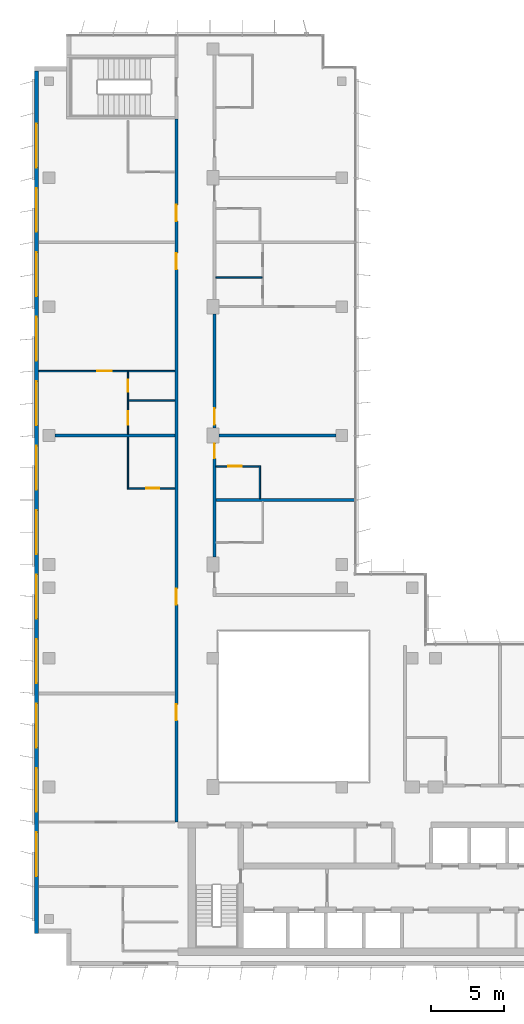
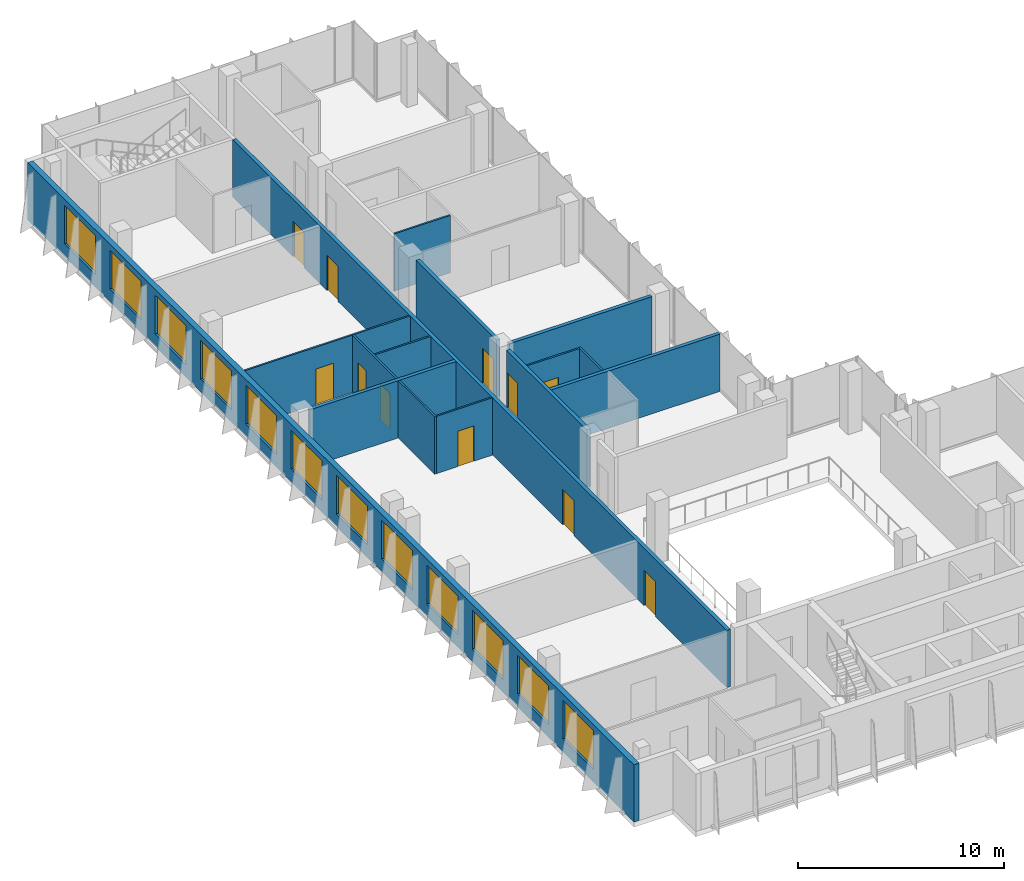
# One storey, part 11 of 15: 15 walls, 12 windows, 11 doors, 23 openings.
"""IFC4 building model written with IfcOpenShell, lengths in metres."""

from ifc_helpers import new_model, si_unit, direction, frame, frame_2d, origin, place, context, subcontext, project, spatial, rectangle, extrude, material, layer, layer_set, type_object, element, fill, save


model = new_model("IFC4")

# Units and contexts
model_context = context("Model", 3, precision=1e-05, world=origin(), true_north=direction((0.0, 1.0)))
body_context = subcontext(model_context, "Body", "Model", "MODEL_VIEW")
ifc_project = project(units=[si_unit("LENGTHUNIT", "METRE"), si_unit("AREAUNIT", "SQUARE_METRE"), si_unit("VOLUMEUNIT", "CUBIC_METRE"), si_unit("PLANEANGLEUNIT", "RADIAN"), si_unit("MASSUNIT", "GRAM", prefix="KILO")], contexts=[model_context])

# Site, building, storey
site_placement = place(None, origin())
site = spatial("IfcSite", under=ifc_project, at=site_placement, CompositionType="ELEMENT")
building_placement = place(site_placement, origin())
building = spatial("IfcBuilding", under=site, at=building_placement, Name="Kemantara Hotel Tower", CompositionType="ELEMENT")
storey_placement = place(building_placement, frame((0.0, 0.0, 237.60009765625)))
storey = spatial("IfcBuildingStorey", under=building, at=storey_placement, Name="L59", CompositionType="ELEMENT", Elevation=237.60009765625)

# Wall, openings, windows
ifc_material_1 = material(Name="Bronze anodised aluminium cladding on insulated steel stud wall", Category="steel")
ifc_layer_1 = layer(ifc_material_1, 0.300048828125)
ifc_layer_set_1 = layer_set([ifc_layer_1], Name="Bronze anodised aluminium cladding on insulated steel stud wall")
wall_type_1 = type_object("IfcWallType", Name="BRONZE METAL-CLAD EXTERNAL WALL 300", PredefinedType="STANDARD", material=ifc_layer_set_1)
wall_1_placement = place(storey_placement, frame((0.14990234375, 61.10009765625, 0.0), z_axis=(0.0, 0.0, 1.0), x_axis=(0.0, -1.0, 0.0)))
wall_1 = element("IfcWall", 1, at=wall_1_placement, inside=storey, type_object=wall_type_1, Name="EXTERNAL WALL L59 T4-R05", PredefinedType="STANDARD", context=body_context, shape_type="SweptSolid", body=[
    extrude(rectangle(XDim=58.900146484375, YDim=0.300048828125, at=frame_2d((29.4501953125, 0.0))), origin(), (0.0, 0.0, 1.0), 3.39990234375),
])
opening_1_placement = place(wall_1_placement, frame((3.60009765625, 0.0, 0.75)))
opening_1 = element("IfcOpeningElement", 2, at=opening_1_placement, cuts=wall_1, Name="Opening W1", PredefinedType="OPENING", context=body_context, shape_type="SweptSolid", body=[
    extrude(rectangle(XDim=3.0, YDim=2.300048828125, at=frame_2d((1.5, 1.14990234375))), frame((0.0, 0.159912109375, 0.0), z_axis=(0.0, -1.0, 0.0), x_axis=(1.0, 0.0, 0.0)), (0.0, 0.0, 1.0), 0.320068359375),
])
opening_2_placement = place(wall_1_placement, frame((8.0, 0.0, 0.75)))
opening_2 = element("IfcOpeningElement", 3, at=opening_2_placement, cuts=wall_1, Name="Opening W1", PredefinedType="OPENING", context=body_context, shape_type="SweptSolid", body=[
    extrude(rectangle(XDim=3.0, YDim=2.300048828125, at=frame_2d((1.5, 1.14990234375))), frame((0.0, 0.159912109375, 0.0), z_axis=(0.0, -1.0, 0.0), x_axis=(1.0, 0.0, 0.0)), (0.0, 0.0, 1.0), 0.320068359375),
])
opening_3_placement = place(wall_1_placement, frame((12.39990234375, 0.0, 0.75)))
opening_3 = element("IfcOpeningElement", 4, at=opening_3_placement, cuts=wall_1, Name="Opening W1", PredefinedType="OPENING", context=body_context, shape_type="SweptSolid", body=[
    extrude(rectangle(XDim=3.0, YDim=2.300048828125, at=frame_2d((1.5, 1.14990234375))), frame((0.0, 0.159912109375, 0.0), z_axis=(0.0, -1.0, 0.0), x_axis=(1.0, 0.0, 0.0)), (0.0, 0.0, 1.0), 0.320068359375),
])
opening_4_placement = place(wall_1_placement, frame((16.800048828125, 0.0, 0.75)))
opening_4 = element("IfcOpeningElement", 5, at=opening_4_placement, cuts=wall_1, Name="Opening W1", PredefinedType="OPENING", context=body_context, shape_type="SweptSolid", body=[
    extrude(rectangle(XDim=3.0, YDim=2.300048828125, at=frame_2d((1.5, 1.14990234375))), frame((0.0, 0.159912109375, 0.0), z_axis=(0.0, -1.0, 0.0), x_axis=(1.0, 0.0, 0.0)), (0.0, 0.0, 1.0), 0.320068359375),
])
opening_5_placement = place(wall_1_placement, frame((21.199951171875, 0.0, 0.75)))
opening_5 = element("IfcOpeningElement", 6, at=opening_5_placement, cuts=wall_1, Name="Opening W1", PredefinedType="OPENING", context=body_context, shape_type="SweptSolid", body=[
    extrude(rectangle(XDim=3.0, YDim=2.300048828125, at=frame_2d((1.5, 1.14990234375))), frame((0.0, 0.159912109375, 0.0), z_axis=(0.0, -1.0, 0.0), x_axis=(1.0, 0.0, 0.0)), (0.0, 0.0, 1.0), 0.320068359375),
])
opening_6_placement = place(wall_1_placement, frame((25.60009765625, 0.0, 0.75)))
opening_6 = element("IfcOpeningElement", 7, at=opening_6_placement, cuts=wall_1, Name="Opening W1", PredefinedType="OPENING", context=body_context, shape_type="SweptSolid", body=[
    extrude(rectangle(XDim=3.0, YDim=2.300048828125, at=frame_2d((1.5, 1.14990234375))), frame((0.0, 0.159912109375, 0.0), z_axis=(0.0, -1.0, 0.0), x_axis=(1.0, 0.0, 0.0)), (0.0, 0.0, 1.0), 0.320068359375),
])
opening_7_placement = place(wall_1_placement, frame((30.0, 0.0, 0.75)))
opening_7 = element("IfcOpeningElement", 8, at=opening_7_placement, cuts=wall_1, Name="Opening W1", PredefinedType="OPENING", context=body_context, shape_type="SweptSolid", body=[
    extrude(rectangle(XDim=3.0, YDim=2.300048828125, at=frame_2d((1.5, 1.14990234375))), frame((0.0, 0.159912109375, 0.0), z_axis=(0.0, -1.0, 0.0), x_axis=(1.0, 0.0, 0.0)), (0.0, 0.0, 1.0), 0.320068359375),
])
opening_8_placement = place(wall_1_placement, frame((34.39990234375, 0.0, 0.75)))
opening_8 = element("IfcOpeningElement", 9, at=opening_8_placement, cuts=wall_1, Name="Opening W1", PredefinedType="OPENING", context=body_context, shape_type="SweptSolid", body=[
    extrude(rectangle(XDim=3.0, YDim=2.300048828125, at=frame_2d((1.5, 1.14990234375))), frame((0.0, 0.159912109375, 0.0), z_axis=(0.0, -1.0, 0.0), x_axis=(1.0, 0.0, 0.0)), (0.0, 0.0, 1.0), 0.320068359375),
])
opening_9_placement = place(wall_1_placement, frame((38.800048828125, 0.0, 0.75)))
opening_9 = element("IfcOpeningElement", 10, at=opening_9_placement, cuts=wall_1, Name="Opening W1", PredefinedType="OPENING", context=body_context, shape_type="SweptSolid", body=[
    extrude(rectangle(XDim=3.0, YDim=2.300048828125, at=frame_2d((1.5, 1.14990234375))), frame((0.0, 0.159912109375, 0.0), z_axis=(0.0, -1.0, 0.0), x_axis=(1.0, 0.0, 0.0)), (0.0, 0.0, 1.0), 0.320068359375),
])
opening_10_placement = place(wall_1_placement, frame((43.199951171875, 0.0, 0.75)))
opening_10 = element("IfcOpeningElement", 11, at=opening_10_placement, cuts=wall_1, Name="Opening W1", PredefinedType="OPENING", context=body_context, shape_type="SweptSolid", body=[
    extrude(rectangle(XDim=3.0, YDim=2.300048828125, at=frame_2d((1.5, 1.14990234375))), frame((0.0, 0.159912109375, 0.0), z_axis=(0.0, -1.0, 0.0), x_axis=(1.0, 0.0, 0.0)), (0.0, 0.0, 1.0), 0.320068359375),
])
opening_11_placement = place(wall_1_placement, frame((47.60009765625, 0.0, 0.75)))
opening_11 = element("IfcOpeningElement", 12, at=opening_11_placement, cuts=wall_1, Name="Opening W1", PredefinedType="OPENING", context=body_context, shape_type="SweptSolid", body=[
    extrude(rectangle(XDim=3.0, YDim=2.300048828125, at=frame_2d((1.5, 1.14990234375))), frame((0.0, 0.159912109375, 0.0), z_axis=(0.0, -1.0, 0.0), x_axis=(1.0, 0.0, 0.0)), (0.0, 0.0, 1.0), 0.320068359375),
])
opening_12_placement = place(wall_1_placement, frame((52.0, 0.0, 0.75)))
opening_12 = element("IfcOpeningElement", 13, at=opening_12_placement, cuts=wall_1, Name="Opening W1", PredefinedType="OPENING", context=body_context, shape_type="SweptSolid", body=[
    extrude(rectangle(XDim=3.0, YDim=2.300048828125, at=frame_2d((1.5, 1.14990234375))), frame((0.0, 0.159912109375, 0.0), z_axis=(0.0, -1.0, 0.0), x_axis=(1.0, 0.0, 0.0)), (0.0, 0.0, 1.0), 0.320068359375),
])
ifc_material_2 = material(Name="Low-E tinted double insulated glass in bronze anodised aluminium frame", Category="aluminium")
window_type = type_object("IfcWindowType", Name="CHICAGO WINDOW, TRIPLE PANEL 3000x2300", PartitioningType="TRIPLE_PANEL_VERTICAL", PredefinedType="WINDOW", material=ifc_material_2)
window_1_placement = place(opening_1_placement, origin())
window_1 = element("IfcWindow", 14, at=window_1_placement, inside=storey, type_object=window_type, Name="CHICAGO WINDOW L59 T4-R05-54", OverallHeight=2.300048828125, OverallWidth=3.0, PartitioningType="SINGLE_PANEL", PredefinedType="WINDOW", context=body_context, shape_type="SweptSolid", body=[
    extrude(rectangle(XDim=3.0, YDim=2.300048828125, at=frame_2d((1.5, 1.14990234375))), frame((0.0, 0.030029296875, 0.0), z_axis=(0.0, -1.0, 0.0), x_axis=(1.0, 0.0, 0.0)), (0.0, 0.0, 1.0), 0.06005859375),
])
fill(opening_1, window_1)
window_2_placement = place(opening_2_placement, origin())
window_2 = element("IfcWindow", 15, at=window_2_placement, inside=storey, type_object=window_type, Name="CHICAGO WINDOW L59 T4-R05-98", OverallHeight=2.300048828125, OverallWidth=3.0, PartitioningType="SINGLE_PANEL", PredefinedType="WINDOW", context=body_context, shape_type="SweptSolid", body=[
    extrude(rectangle(XDim=3.0, YDim=2.300048828125, at=frame_2d((1.5, 1.14990234375))), frame((0.0, 0.030029296875, 0.0), z_axis=(0.0, -1.0, 0.0), x_axis=(1.0, 0.0, 0.0)), (0.0, 0.0, 1.0), 0.06005859375),
])
fill(opening_2, window_2)
window_3_placement = place(opening_3_placement, origin())
window_3 = element("IfcWindow", 16, at=window_3_placement, inside=storey, type_object=window_type, Name="CHICAGO WINDOW L59 T4-R05-142", OverallHeight=2.300048828125, OverallWidth=3.0, PartitioningType="SINGLE_PANEL", PredefinedType="WINDOW", context=body_context, shape_type="SweptSolid", body=[
    extrude(rectangle(XDim=3.0, YDim=2.300048828125, at=frame_2d((1.5, 1.14990234375))), frame((0.0, 0.030029296875, 0.0), z_axis=(0.0, -1.0, 0.0), x_axis=(1.0, 0.0, 0.0)), (0.0, 0.0, 1.0), 0.06005859375),
])
fill(opening_3, window_3)
window_4_placement = place(opening_4_placement, origin())
window_4 = element("IfcWindow", 17, at=window_4_placement, inside=storey, type_object=window_type, Name="CHICAGO WINDOW L59 T4-R05-186", OverallHeight=2.300048828125, OverallWidth=3.0, PartitioningType="SINGLE_PANEL", PredefinedType="WINDOW", context=body_context, shape_type="SweptSolid", body=[
    extrude(rectangle(XDim=3.0, YDim=2.300048828125, at=frame_2d((1.5, 1.14990234375))), frame((0.0, 0.030029296875, 0.0), z_axis=(0.0, -1.0, 0.0), x_axis=(1.0, 0.0, 0.0)), (0.0, 0.0, 1.0), 0.06005859375),
])
fill(opening_4, window_4)
window_5_placement = place(opening_5_placement, origin())
window_5 = element("IfcWindow", 18, at=window_5_placement, inside=storey, type_object=window_type, Name="CHICAGO WINDOW L59 T4-R05-230", OverallHeight=2.300048828125, OverallWidth=3.0, PartitioningType="SINGLE_PANEL", PredefinedType="WINDOW", context=body_context, shape_type="SweptSolid", body=[
    extrude(rectangle(XDim=3.0, YDim=2.300048828125, at=frame_2d((1.5, 1.14990234375))), frame((0.0, 0.030029296875, 0.0), z_axis=(0.0, -1.0, 0.0), x_axis=(1.0, 0.0, 0.0)), (0.0, 0.0, 1.0), 0.06005859375),
])
fill(opening_5, window_5)
window_6_placement = place(opening_6_placement, origin())
window_6 = element("IfcWindow", 19, at=window_6_placement, inside=storey, type_object=window_type, Name="CHICAGO WINDOW L59 T4-R05-274", OverallHeight=2.300048828125, OverallWidth=3.0, PartitioningType="SINGLE_PANEL", PredefinedType="WINDOW", context=body_context, shape_type="SweptSolid", body=[
    extrude(rectangle(XDim=3.0, YDim=2.300048828125, at=frame_2d((1.5, 1.14990234375))), frame((0.0, 0.030029296875, 0.0), z_axis=(0.0, -1.0, 0.0), x_axis=(1.0, 0.0, 0.0)), (0.0, 0.0, 1.0), 0.06005859375),
])
fill(opening_6, window_6)
window_7_placement = place(opening_7_placement, origin())
window_7 = element("IfcWindow", 20, at=window_7_placement, inside=storey, type_object=window_type, Name="CHICAGO WINDOW L59 T4-R05-318", OverallHeight=2.300048828125, OverallWidth=3.0, PartitioningType="SINGLE_PANEL", PredefinedType="WINDOW", context=body_context, shape_type="SweptSolid", body=[
    extrude(rectangle(XDim=3.0, YDim=2.300048828125, at=frame_2d((1.5, 1.14990234375))), frame((0.0, 0.030029296875, 0.0), z_axis=(0.0, -1.0, 0.0), x_axis=(1.0, 0.0, 0.0)), (0.0, 0.0, 1.0), 0.06005859375),
])
fill(opening_7, window_7)
window_8_placement = place(opening_8_placement, origin())
window_8 = element("IfcWindow", 21, at=window_8_placement, inside=storey, type_object=window_type, Name="CHICAGO WINDOW L59 T4-R05-362", OverallHeight=2.300048828125, OverallWidth=3.0, PartitioningType="SINGLE_PANEL", PredefinedType="WINDOW", context=body_context, shape_type="SweptSolid", body=[
    extrude(rectangle(XDim=3.0, YDim=2.300048828125, at=frame_2d((1.5, 1.14990234375))), frame((0.0, 0.030029296875, 0.0), z_axis=(0.0, -1.0, 0.0), x_axis=(1.0, 0.0, 0.0)), (0.0, 0.0, 1.0), 0.06005859375),
])
fill(opening_8, window_8)
window_9_placement = place(opening_9_placement, origin())
window_9 = element("IfcWindow", 22, at=window_9_placement, inside=storey, type_object=window_type, Name="CHICAGO WINDOW L59 T4-R05-406", OverallHeight=2.300048828125, OverallWidth=3.0, PartitioningType="SINGLE_PANEL", PredefinedType="WINDOW", context=body_context, shape_type="SweptSolid", body=[
    extrude(rectangle(XDim=3.0, YDim=2.300048828125, at=frame_2d((1.5, 1.14990234375))), frame((0.0, 0.030029296875, 0.0), z_axis=(0.0, -1.0, 0.0), x_axis=(1.0, 0.0, 0.0)), (0.0, 0.0, 1.0), 0.06005859375),
])
fill(opening_9, window_9)
window_10_placement = place(opening_10_placement, origin())
window_10 = element("IfcWindow", 23, at=window_10_placement, inside=storey, type_object=window_type, Name="CHICAGO WINDOW L59 T4-R05-450", OverallHeight=2.300048828125, OverallWidth=3.0, PartitioningType="SINGLE_PANEL", PredefinedType="WINDOW", context=body_context, shape_type="SweptSolid", body=[
    extrude(rectangle(XDim=3.0, YDim=2.300048828125, at=frame_2d((1.5, 1.14990234375))), frame((0.0, 0.030029296875, 0.0), z_axis=(0.0, -1.0, 0.0), x_axis=(1.0, 0.0, 0.0)), (0.0, 0.0, 1.0), 0.06005859375),
])
fill(opening_10, window_10)
window_11_placement = place(opening_11_placement, origin())
window_11 = element("IfcWindow", 24, at=window_11_placement, inside=storey, type_object=window_type, Name="CHICAGO WINDOW L59 T4-R05-494", OverallHeight=2.300048828125, OverallWidth=3.0, PartitioningType="SINGLE_PANEL", PredefinedType="WINDOW", context=body_context, shape_type="SweptSolid", body=[
    extrude(rectangle(XDim=3.0, YDim=2.300048828125, at=frame_2d((1.5, 1.14990234375))), frame((0.0, 0.030029296875, 0.0), z_axis=(0.0, -1.0, 0.0), x_axis=(1.0, 0.0, 0.0)), (0.0, 0.0, 1.0), 0.06005859375),
])
fill(opening_11, window_11)
window_12_placement = place(opening_12_placement, origin())
window_12 = element("IfcWindow", 25, at=window_12_placement, inside=storey, type_object=window_type, Name="CHICAGO WINDOW L59 T4-R05-538", OverallHeight=2.300048828125, OverallWidth=3.0, PartitioningType="SINGLE_PANEL", PredefinedType="WINDOW", context=body_context, shape_type="SweptSolid", body=[
    extrude(rectangle(XDim=3.0, YDim=2.300048828125, at=frame_2d((1.5, 1.14990234375))), frame((0.0, 0.030029296875, 0.0), z_axis=(0.0, -1.0, 0.0), x_axis=(1.0, 0.0, 0.0)), (0.0, 0.0, 1.0), 0.06005859375),
])
fill(opening_12, window_12)

# Wall, openings, doors
ifc_material_3 = material(Name="Gypsum board partition, steel studs and mineral wool, 200 mm", Category="steel")
ifc_layer_2 = layer(ifc_material_3, 0.199951171875)
ifc_layer_set_2 = layer_set([ifc_layer_2], Name="Gypsum board partition, steel studs and mineral wool, 200 mm")
wall_type_2 = type_object("IfcWallType", Name="CORRIDOR WALL 200", PredefinedType="PARTITIONING", material=ifc_layer_set_2)
wall_2_placement = place(storey_placement, frame((9.699951171875, 9.800048828125, 0.0), z_axis=(0.0, 0.0, 1.0), x_axis=(0.0, 1.0, 0.0)))
wall_2 = element("IfcWall", 26, at=wall_2_placement, inside=storey, type_object=wall_type_2, Name="CORRIDOR WALL 200 007", PredefinedType="PARTITIONING", context=body_context, shape_type="SweptSolid", body=[
    extrude(rectangle(XDim=48.0, YDim=0.199951171875, at=frame_2d((24.0, 0.0))), origin(), (0.0, 0.0, 1.0), 3.39990234375),
])
opening_13_placement = place(wall_2_placement, frame((6.949951171875, 0.0, 0.0)))
opening_13 = element("IfcOpeningElement", 27, at=opening_13_placement, cuts=wall_2, Name="Opening F29-007", PredefinedType="OPENING", context=body_context, shape_type="SweptSolid", body=[
    extrude(rectangle(XDim=1.10009765625, YDim=2.10009765625, at=frame_2d((0.550048828125, 1.050048828125))), frame((0.0, 0.10986328125, 0.0), z_axis=(0.0, -1.0, 0.0), x_axis=(1.0, 0.0, 0.0)), (0.0, 0.0, 1.0), 0.219970703125),
])
opening_14_placement = place(wall_2_placement, frame((14.85009765625, 0.0, 0.0)))
opening_14 = element("IfcOpeningElement", 28, at=opening_14_placement, cuts=wall_2, Name="Opening F29-012", PredefinedType="OPENING", context=body_context, shape_type="SweptSolid", body=[
    extrude(rectangle(XDim=1.10009765625, YDim=2.10009765625, at=frame_2d((0.550048828125, 1.050048828125))), frame((0.0, 0.10986328125, 0.0), z_axis=(0.0, -1.0, 0.0), x_axis=(1.0, 0.0, 0.0)), (0.0, 0.0, 1.0), 0.219970703125),
])
opening_15_placement = place(wall_2_placement, frame((37.75, 0.0, 0.0)))
opening_15 = element("IfcOpeningElement", 29, at=opening_15_placement, cuts=wall_2, Name="Opening F29-014", PredefinedType="OPENING", context=body_context, shape_type="SweptSolid", body=[
    extrude(rectangle(XDim=1.10009765625, YDim=2.10009765625, at=frame_2d((0.550048828125, 1.050048828125))), frame((0.0, 0.10986328125, 0.0), z_axis=(0.0, -1.0, 0.0), x_axis=(1.0, 0.0, 0.0)), (0.0, 0.0, 1.0), 0.219970703125),
])
opening_16_placement = place(wall_2_placement, frame((41.050048828125, 0.0, 0.0)))
opening_16 = element("IfcOpeningElement", 30, at=opening_16_placement, cuts=wall_2, Name="Opening F29-018", PredefinedType="OPENING", context=body_context, shape_type="SweptSolid", body=[
    extrude(rectangle(XDim=1.10009765625, YDim=2.10009765625, at=frame_2d((0.550048828125, 1.050048828125))), frame((0.0, 0.10986328125, 0.0), z_axis=(0.0, -1.0, 0.0), x_axis=(1.0, 0.0, 0.0)), (0.0, 0.0, 1.0), 0.219970703125),
])
ifc_material_4 = material(Name="Hardwood veneer door leaf with steel frame", Category="steel")
door_type_1 = type_object("IfcDoorType", Name="SUITE ENTRANCE DOOR 1100 X 2100 FD30S", OperationType="NOTDEFINED", PredefinedType="DOOR", material=ifc_material_4)
door_1_placement = place(opening_13_placement, origin())
door_1 = element("IfcDoor", 31, at=door_1_placement, inside=storey, type_object=door_type_1, Name="SUITE ENTRANCE DOOR F29-007", OperationType="SINGLE_SWING_RIGHT", OverallHeight=2.10009765625, OverallWidth=1.10009765625, PredefinedType="DOOR", context=body_context, shape_type="SweptSolid", body=[
    extrude(rectangle(XDim=1.10009765625, YDim=2.10009765625, at=frame_2d((0.550048828125, 1.050048828125))), frame((0.0, 0.02490234375, 0.0), z_axis=(0.0, -1.0, 0.0), x_axis=(1.0, 0.0, 0.0)), (0.0, 0.0, 1.0), 0.050048828125),
])
fill(opening_13, door_1)
door_2_placement = place(opening_14_placement, origin())
door_2 = element("IfcDoor", 32, at=door_2_placement, inside=storey, type_object=door_type_1, Name="SUITE ENTRANCE DOOR F29-012", OperationType="SINGLE_SWING_LEFT", OverallHeight=2.10009765625, OverallWidth=1.10009765625, PredefinedType="DOOR", context=body_context, shape_type="SweptSolid", body=[
    extrude(rectangle(XDim=1.10009765625, YDim=2.10009765625, at=frame_2d((0.550048828125, 1.050048828125))), frame((0.0, 0.02490234375, 0.0), z_axis=(0.0, -1.0, 0.0), x_axis=(1.0, 0.0, 0.0)), (0.0, 0.0, 1.0), 0.050048828125),
])
fill(opening_14, door_2)
door_3_placement = place(opening_15_placement, origin())
door_3 = element("IfcDoor", 33, at=door_3_placement, inside=storey, type_object=door_type_1, Name="SUITE ENTRANCE DOOR F29-014", OperationType="SINGLE_SWING_RIGHT", OverallHeight=2.10009765625, OverallWidth=1.10009765625, PredefinedType="DOOR", context=body_context, shape_type="SweptSolid", body=[
    extrude(rectangle(XDim=1.10009765625, YDim=2.10009765625, at=frame_2d((0.550048828125, 1.050048828125))), frame((0.0, 0.02490234375, 0.0), z_axis=(0.0, -1.0, 0.0), x_axis=(1.0, 0.0, 0.0)), (0.0, 0.0, 1.0), 0.050048828125),
])
fill(opening_15, door_3)
door_4_placement = place(opening_16_placement, origin())
door_4 = element("IfcDoor", 34, at=door_4_placement, inside=storey, type_object=door_type_1, Name="SUITE ENTRANCE DOOR F29-018", OperationType="SINGLE_SWING_LEFT", OverallHeight=2.10009765625, OverallWidth=1.10009765625, PredefinedType="DOOR", context=body_context, shape_type="SweptSolid", body=[
    extrude(rectangle(XDim=1.10009765625, YDim=2.10009765625, at=frame_2d((0.550048828125, 1.050048828125))), frame((0.0, 0.02490234375, 0.0), z_axis=(0.0, -1.0, 0.0), x_axis=(1.0, 0.0, 0.0)), (0.0, 0.0, 1.0), 0.050048828125),
])
fill(opening_16, door_4)

# Wall, opening, door
wall_3_placement = place(storey_placement, frame((12.300048828125, 35.699951171875, 0.0), z_axis=(0.0, 0.0, 1.0), x_axis=(0.0, -1.0, 0.0)))
wall_3 = element("IfcWall", 35, at=wall_3_placement, inside=storey, type_object=wall_type_2, Name="CORRIDOR WALL 200 015", PredefinedType="PARTITIONING", context=body_context, shape_type="SweptSolid", body=[
    extrude(rectangle(XDim=7.7998046875, YDim=0.199951171875, at=frame_2d((3.89990234375, 0.0))), origin(), (0.0, 0.0, 1.0), 3.39990234375),
])
opening_17_placement = place(wall_3_placement, frame((0.0498046875, 0.0, 0.0)))
opening_17 = element("IfcOpeningElement", 36, at=opening_17_placement, cuts=wall_3, Name="Opening F29-022", PredefinedType="OPENING", context=body_context, shape_type="SweptSolid", body=[
    extrude(rectangle(XDim=1.0, YDim=2.10009765625, at=frame_2d((0.5, 1.050048828125))), frame((0.0, 0.10986328125, 0.0), z_axis=(0.0, -1.0, 0.0), x_axis=(1.0, 0.0, 0.0)), (0.0, 0.0, 1.0), 0.219970703125),
])
door_type_2 = type_object("IfcDoorType", Name="GUEST ROOM DOOR 1000 X 2100 FD30S", OperationType="NOTDEFINED", PredefinedType="DOOR", material=ifc_material_4)
door_5_placement = place(opening_17_placement, origin())
door_5 = element("IfcDoor", 37, at=door_5_placement, inside=storey, type_object=door_type_2, Name="GUEST ROOM DOOR F29-022", OperationType="SINGLE_SWING_LEFT", OverallHeight=2.10009765625, OverallWidth=1.0, PredefinedType="DOOR", context=body_context, shape_type="SweptSolid", body=[
    extrude(rectangle(XDim=1.0, YDim=2.10009765625, at=frame_2d((0.5, 1.050048828125))), frame((0.0, 0.02490234375, 0.0), z_axis=(0.0, -1.0, 0.0), x_axis=(1.0, 0.0, 0.0)), (0.0, 0.0, 1.0), 0.050048828125),
])
fill(opening_17, door_5)

wall_4_placement = place(storey_placement, frame((12.300048828125, 44.5, 0.0), z_axis=(0.0, 0.0, 1.0), x_axis=(0.0, -1.0, 0.0)))
wall_4 = element("IfcWall", 38, at=wall_4_placement, inside=storey, type_object=wall_type_2, Name="CORRIDOR WALL 200 016", PredefinedType="PARTITIONING", context=body_context, shape_type="SweptSolid", body=[
    extrude(rectangle(XDim=7.7998046875, YDim=0.199951171875, at=frame_2d((3.89990234375, 0.0))), origin(), (0.0, 0.0, 1.0), 3.39990234375),
])
opening_18_placement = place(wall_4_placement, frame((6.449951171875, 0.0, 0.0)))
opening_18 = element("IfcOpeningElement", 39, at=opening_18_placement, cuts=wall_4, Name="Opening F29-024", PredefinedType="OPENING", context=body_context, shape_type="SweptSolid", body=[
    extrude(rectangle(XDim=1.10009765625, YDim=2.10009765625, at=frame_2d((0.550048828125, 1.050048828125))), frame((0.0, 0.10986328125, 0.0), z_axis=(0.0, -1.0, 0.0), x_axis=(1.0, 0.0, 0.0)), (0.0, 0.0, 1.0), 0.219970703125),
])
door_6_placement = place(opening_18_placement, origin())
door_6 = element("IfcDoor", 40, at=door_6_placement, inside=storey, type_object=door_type_1, Name="SUITE ENTRANCE DOOR F29-024", OperationType="SINGLE_SWING_RIGHT", OverallHeight=2.10009765625, OverallWidth=1.10009765625, PredefinedType="DOOR", context=body_context, shape_type="SweptSolid", body=[
    extrude(rectangle(XDim=1.10009765625, YDim=2.10009765625, at=frame_2d((0.550048828125, 1.050048828125))), frame((0.0, 0.02490234375, 0.0), z_axis=(0.0, -1.0, 0.0), x_axis=(1.0, 0.0, 0.0)), (0.0, 0.0, 1.0), 0.050048828125),
])
fill(opening_18, door_6)

# Walls
ifc_layer_3 = layer(ifc_material_3, 0.199951171875)
ifc_layer_set_3 = layer_set([ifc_layer_3], Name="Gypsum board partition, steel studs and mineral wool, 200 mm")
wall_type_3 = type_object("IfcWallType", Name="GUEST ROOM PARTY WALL 200", PredefinedType="PARTITIONING", material=ifc_layer_set_3)
wall_5_placement = place(storey_placement, frame((1.400146484375, 36.199951171875, 0.0), z_axis=(0.0, 0.0, 1.0), x_axis=(1.0, 0.0, 0.0)))
element("IfcWall", 41, at=wall_5_placement, inside=storey, type_object=wall_type_3, Name="GUEST ROOM PARTY WALL 200 010", PredefinedType="PARTITIONING", context=body_context, shape_type="SweptSolid", body=[
    extrude(rectangle(XDim=8.199951171875, YDim=0.199951171875, at=frame_2d((4.10009765625, 0.0))), origin(), (0.0, 0.0, 1.0), 3.39990234375),
])
wall_6_placement = place(storey_placement, frame((12.60009765625, 36.199951171875, 0.0), z_axis=(0.0, 0.0, 1.0), x_axis=(1.0, 0.0, 0.0)))
element("IfcWall", 42, at=wall_6_placement, inside=storey, type_object=wall_type_3, Name="GUEST ROOM PARTY WALL 200 011", PredefinedType="PARTITIONING", context=body_context, shape_type="SweptSolid", body=[
    extrude(rectangle(XDim=7.999755859375, YDim=0.199951171875, at=frame_2d((4.0, 0.0))), origin(), (0.0, 0.0, 1.0), 3.39990234375),
])
wall_7_placement = place(storey_placement, frame((12.39990234375, 31.800048828125, 0.0), z_axis=(0.0, 0.0, 1.0), x_axis=(1.0, 0.0, 0.0)))
element("IfcWall", 43, at=wall_7_placement, inside=storey, type_object=wall_type_3, Name="GUEST ROOM PARTY WALL 200 020", PredefinedType="PARTITIONING", context=body_context, shape_type="SweptSolid", body=[
    extrude(rectangle(XDim=9.47021484375, YDim=0.199951171875, at=frame_2d((4.735107421875, 0.0))), origin(), (0.0, 0.0, 1.0), 3.39990234375),
])
ifc_material_5 = material(Name="Gypsum board partition on steel studs, 100 mm", Category="steel")
ifc_layer_4 = layer(ifc_material_5, 0.10009765625)
ifc_layer_set_4 = layer_set([ifc_layer_4], Name="Gypsum board partition on steel studs, 100 mm")
wall_type_4 = type_object("IfcWallType", Name="ROOM PARTITION 100", PredefinedType="PARTITIONING", material=ifc_layer_set_4)
wall_8_placement = place(storey_placement, frame((6.39990234375, 32.550048828125, 0.0), z_axis=(0.0, 0.0, 1.0), x_axis=(0.0, 1.0, 0.0)))
element("IfcWall", 44, at=wall_8_placement, inside=storey, type_object=wall_type_4, Name="ROOM PARTITION 100 034", PredefinedType="PARTITIONING", context=body_context, shape_type="SweptSolid", body=[
    extrude(rectangle(XDim=3.550048828125, YDim=0.10009765625, at=frame_2d((1.77490234375, 0.0))), origin(), (0.0, 0.0, 1.0), 3.39990234375),
])

# Wall, openings, doors
wall_9_placement = place(storey_placement, frame((6.39990234375, 40.550048828125, 0.0), z_axis=(0.0, 0.0, 1.0), x_axis=(0.0, -1.0, 0.0)))
wall_9 = element("IfcWall", 45, at=wall_9_placement, inside=storey, type_object=wall_type_4, Name="ROOM PARTITION 100 035", PredefinedType="PARTITIONING", context=body_context, shape_type="SweptSolid", body=[
    extrude(rectangle(XDim=4.25, YDim=0.10009765625, at=frame_2d((2.125, 0.0))), origin(), (0.0, 0.0, 1.0), 3.39990234375),
])
opening_19_placement = place(wall_9_placement, frame((2.699951171875, 0.0, 0.0)))
opening_19 = element("IfcOpeningElement", 46, at=opening_19_placement, cuts=wall_9, Name="Opening F29-016", PredefinedType="OPENING", context=body_context, shape_type="SweptSolid", body=[
    extrude(rectangle(XDim=0.89990234375, YDim=2.10009765625, at=frame_2d((0.449951171875, 1.050048828125))), frame((0.0, 0.06005859375, 0.0), z_axis=(0.0, -1.0, 0.0), x_axis=(1.0, 0.0, 0.0)), (0.0, 0.0, 1.0), 0.1201171875),
])
opening_20_placement = place(wall_9_placement, frame((0.550048828125, 0.0, 0.0)))
opening_20 = element("IfcOpeningElement", 47, at=opening_20_placement, cuts=wall_9, Name="Opening F29-017", PredefinedType="OPENING", context=body_context, shape_type="SweptSolid", body=[
    extrude(rectangle(XDim=0.800048828125, YDim=2.10009765625, at=frame_2d((0.39990234375, 1.050048828125))), frame((0.0, 0.06005859375, 0.0), z_axis=(0.0, -1.0, 0.0), x_axis=(1.0, 0.0, 0.0)), (0.0, 0.0, 1.0), 0.1201171875),
])
door_type_3 = type_object("IfcDoorType", Name="BATHROOM DOOR 900 X 2100", OperationType="NOTDEFINED", PredefinedType="DOOR", material=ifc_material_4)
door_7_placement = place(opening_19_placement, origin())
door_7 = element("IfcDoor", 48, at=door_7_placement, inside=storey, type_object=door_type_3, Name="BATHROOM DOOR F29-016", OperationType="SINGLE_SWING_LEFT", OverallHeight=2.10009765625, OverallWidth=0.89990234375, PredefinedType="DOOR", context=body_context, shape_type="SweptSolid", body=[
    extrude(rectangle(XDim=0.89990234375, YDim=2.10009765625, at=frame_2d((0.449951171875, 1.050048828125))), frame((0.0, 0.02490234375, 0.0), z_axis=(0.0, -1.0, 0.0), x_axis=(1.0, 0.0, 0.0)), (0.0, 0.0, 1.0), 0.050048828125),
])
fill(opening_19, door_7)
door_type_4 = type_object("IfcDoorType", Name="WARDROBE DOOR 800 X 2100", OperationType="NOTDEFINED", PredefinedType="DOOR", material=ifc_material_4)
door_8_placement = place(opening_20_placement, origin())
door_8 = element("IfcDoor", 49, at=door_8_placement, inside=storey, type_object=door_type_4, Name="WARDROBE DOOR F29-017", OperationType="SINGLE_SWING_LEFT", OverallHeight=2.10009765625, OverallWidth=0.800048828125, PredefinedType="DOOR", context=body_context, shape_type="SweptSolid", body=[
    extrude(rectangle(XDim=0.800048828125, YDim=2.10009765625, at=frame_2d((0.39990234375, 1.050048828125))), frame((0.0, 0.02490234375, 0.0), z_axis=(0.0, -1.0, 0.0), x_axis=(1.0, 0.0, 0.0)), (0.0, 0.0, 1.0), 0.050048828125),
])
fill(opening_20, door_8)

# Wall, opening, door
wall_10_placement = place(storey_placement, frame((6.449951171875, 32.60009765625, 0.0), z_axis=(0.0, 0.0, 1.0), x_axis=(1.0, 0.0, 0.0)))
wall_10 = element("IfcWall", 50, at=wall_10_placement, inside=storey, type_object=wall_type_4, Name="ROOM PARTITION 100 037", PredefinedType="PARTITIONING", context=body_context, shape_type="SweptSolid", body=[
    extrude(rectangle(XDim=3.150146484375, YDim=0.10009765625, at=frame_2d((1.5751953125, 0.0))), origin(), (0.0, 0.0, 1.0), 3.39990234375),
])
opening_21_placement = place(wall_10_placement, frame((1.199951171875, 0.0, 0.0)))
opening_21 = element("IfcOpeningElement", 51, at=opening_21_placement, cuts=wall_10, Name="Opening F29-013", PredefinedType="OPENING", context=body_context, shape_type="SweptSolid", body=[
    extrude(rectangle(XDim=0.89990234375, YDim=2.10009765625, at=frame_2d((0.449951171875, 1.050048828125))), frame((0.0, 0.06005859375, 0.0), z_axis=(0.0, -1.0, 0.0), x_axis=(1.0, 0.0, 0.0)), (0.0, 0.0, 1.0), 0.1201171875),
])
door_9_placement = place(opening_21_placement, origin())
door_9 = element("IfcDoor", 52, at=door_9_placement, inside=storey, type_object=door_type_3, Name="BATHROOM DOOR F29-013", OperationType="SINGLE_SWING_RIGHT", OverallHeight=2.10009765625, OverallWidth=0.89990234375, PredefinedType="DOOR", context=body_context, shape_type="SweptSolid", body=[
    extrude(rectangle(XDim=0.89990234375, YDim=2.10009765625, at=frame_2d((0.449951171875, 1.050048828125))), frame((0.0, 0.02490234375, 0.0), z_axis=(0.0, -1.0, 0.0), x_axis=(1.0, 0.0, 0.0)), (0.0, 0.0, 1.0), 0.050048828125),
])
fill(opening_21, door_9)

wall_11_placement = place(storey_placement, frame((9.60009765625, 40.60009765625, 0.0), z_axis=(0.0, 0.0, 1.0), x_axis=(-1.0, 0.0, 0.0)))
wall_11 = element("IfcWall", 53, at=wall_11_placement, inside=storey, type_object=wall_type_4, Name="ROOM PARTITION 100 038", PredefinedType="PARTITIONING", context=body_context, shape_type="SweptSolid", body=[
    extrude(rectangle(XDim=9.2900390625, YDim=0.10009765625, at=frame_2d((4.64501953125, 0.0))), origin(), (0.0, 0.0, 1.0), 3.39990234375),
])
opening_22_placement = place(wall_11_placement, frame((4.300048828125, 0.0, 0.0)))
opening_22 = element("IfcOpeningElement", 54, at=opening_22_placement, cuts=wall_11, Name="Opening F29-015", PredefinedType="OPENING", context=body_context, shape_type="SweptSolid", body=[
    extrude(rectangle(XDim=1.0, YDim=2.10009765625, at=frame_2d((0.5, 1.050048828125))), frame((0.0, 0.06005859375, 0.0), z_axis=(0.0, -1.0, 0.0), x_axis=(1.0, 0.0, 0.0)), (0.0, 0.0, 1.0), 0.1201171875),
])
door_type_5 = type_object("IfcDoorType", Name="INTERNAL DOOR 1000 X 2100", OperationType="NOTDEFINED", PredefinedType="DOOR", material=ifc_material_4)
door_10_placement = place(opening_22_placement, origin())
door_10 = element("IfcDoor", 55, at=door_10_placement, inside=storey, type_object=door_type_5, Name="INTERNAL DOOR F29-015", OperationType="SINGLE_SWING_LEFT", OverallHeight=2.10009765625, OverallWidth=1.0, PredefinedType="DOOR", context=body_context, shape_type="SweptSolid", body=[
    extrude(rectangle(XDim=1.0, YDim=2.10009765625, at=frame_2d((0.5, 1.050048828125))), frame((0.0, 0.02490234375, 0.0), z_axis=(0.0, -1.0, 0.0), x_axis=(1.0, 0.0, 0.0)), (0.0, 0.0, 1.0), 0.050048828125),
])
fill(opening_22, door_10)

# Walls
wall_12_placement = place(storey_placement, frame((6.449951171875, 38.60009765625, 0.0), z_axis=(0.0, 0.0, 1.0), x_axis=(1.0, 0.0, 0.0)))
element("IfcWall", 56, at=wall_12_placement, inside=storey, type_object=wall_type_4, Name="ROOM PARTITION 100 039", PredefinedType="PARTITIONING", context=body_context, shape_type="SweptSolid", body=[
    extrude(rectangle(XDim=3.150146484375, YDim=0.10009765625, at=frame_2d((1.5751953125, 0.0))), origin(), (0.0, 0.0, 1.0), 3.39990234375),
])
wall_13_placement = place(storey_placement, frame((15.39990234375, 31.89990234375, 0.0), z_axis=(0.0, 0.0, 1.0), x_axis=(0.0, 1.0, 0.0)))
element("IfcWall", 57, at=wall_13_placement, inside=storey, type_object=wall_type_4, Name="ROOM PARTITION 100 044", PredefinedType="PARTITIONING", context=body_context, shape_type="SweptSolid", body=[
    extrude(rectangle(XDim=2.25, YDim=0.10009765625, at=frame_2d((1.125, 0.0))), origin(), (0.0, 0.0, 1.0), 3.39990234375),
])

# Wall, opening, door
wall_14_placement = place(storey_placement, frame((15.35009765625, 34.10009765625, 0.0), z_axis=(0.0, 0.0, 1.0), x_axis=(-1.0, 0.0, 0.0)))
wall_14 = element("IfcWall", 58, at=wall_14_placement, inside=storey, type_object=wall_type_4, Name="ROOM PARTITION 100 046", PredefinedType="PARTITIONING", context=body_context, shape_type="SweptSolid", body=[
    extrude(rectangle(XDim=2.9501953125, YDim=0.10009765625, at=frame_2d((1.47509765625, 0.0))), origin(), (0.0, 0.0, 1.0), 3.39990234375),
])
opening_23_placement = place(wall_14_placement, frame((1.199951171875, 0.0, 0.0)))
opening_23 = element("IfcOpeningElement", 59, at=opening_23_placement, cuts=wall_14, Name="Opening F29-023", PredefinedType="OPENING", context=body_context, shape_type="SweptSolid", body=[
    extrude(rectangle(XDim=0.89990234375, YDim=2.10009765625, at=frame_2d((0.449951171875, 1.050048828125))), frame((0.0, 0.06005859375, 0.0), z_axis=(0.0, -1.0, 0.0), x_axis=(1.0, 0.0, 0.0)), (0.0, 0.0, 1.0), 0.1201171875),
])
door_11_placement = place(opening_23_placement, origin())
door_11 = element("IfcDoor", 60, at=door_11_placement, inside=storey, type_object=door_type_3, Name="BATHROOM DOOR F29-023", OperationType="SINGLE_SWING_RIGHT", OverallHeight=2.10009765625, OverallWidth=0.89990234375, PredefinedType="DOOR", context=body_context, shape_type="SweptSolid", body=[
    extrude(rectangle(XDim=0.89990234375, YDim=2.10009765625, at=frame_2d((0.449951171875, 1.050048828125))), frame((0.0, 0.02490234375, 0.0), z_axis=(0.0, -1.0, 0.0), x_axis=(1.0, 0.0, 0.0)), (0.0, 0.0, 1.0), 0.050048828125),
])
fill(opening_23, door_11)

# Wall
wall_15_placement = place(storey_placement, frame((12.39990234375, 47.0, 0.0), z_axis=(0.0, 0.0, 1.0), x_axis=(1.0, 0.0, 0.0)))
element("IfcWall", 61, at=wall_15_placement, inside=storey, type_object=wall_type_4, Name="ROOM PARTITION 100 048", PredefinedType="PARTITIONING", context=body_context, shape_type="SweptSolid", body=[
    extrude(rectangle(XDim=3.150146484375, YDim=0.10009765625, at=frame_2d((1.5751953125, 0.0))), origin(), (0.0, 0.0, 1.0), 3.39990234375),
])

save(model, "model.ifc")
